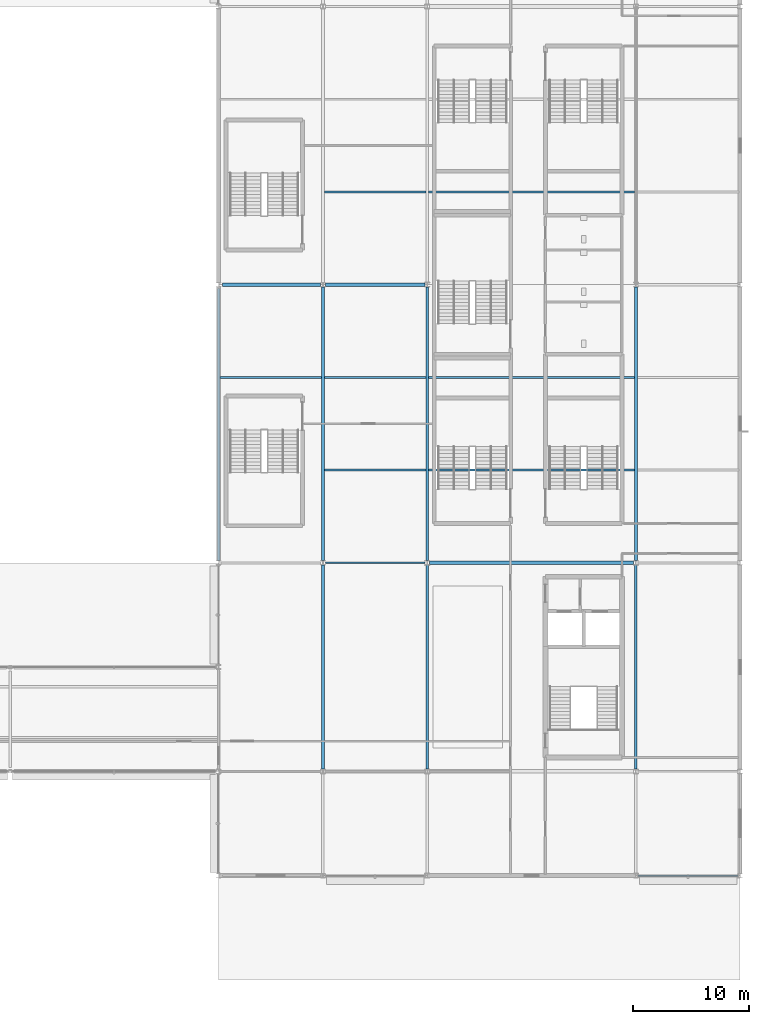
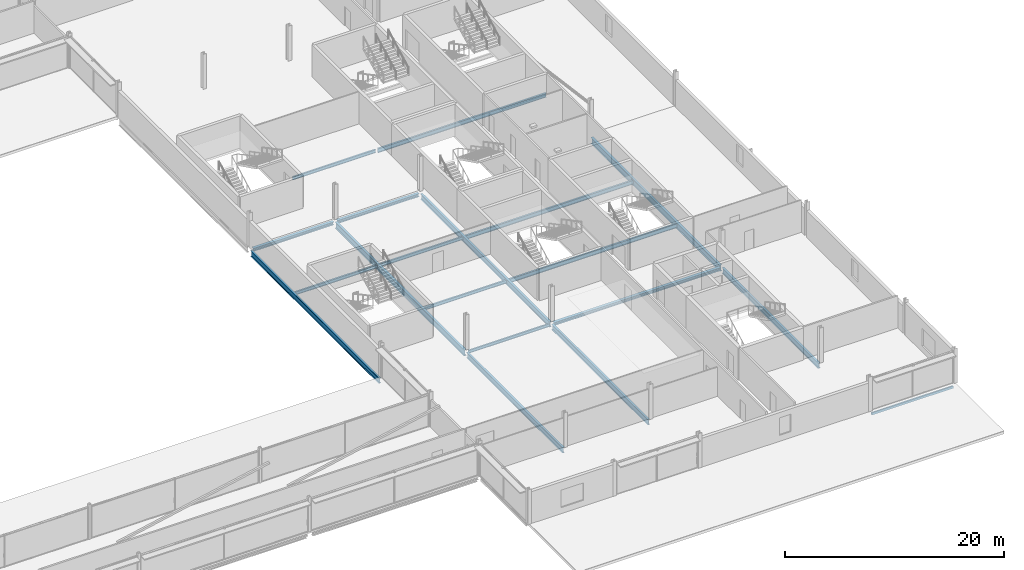
# One storey, part 47 of 105: 19 beams.
"""IFC4 building model written with IfcOpenShell, lengths in metres."""

from ifc_helpers import new_model, si_unit, direction, frame, origin, origin_2d, place, context, subcontext, project, spatial, hollow_rectangle, i_section, extrude, material, material_profile, profile_set, type_object, element, save


model = new_model("IFC4")

# Units and contexts
model_context = context("Model", 3, precision=1e-05, world=origin(), true_north=direction((0.0, 1.0)))
body_context = subcontext(model_context, "Body", "Model", "MODEL_VIEW")
ifc_project = project(units=[si_unit("LENGTHUNIT", "METRE"), si_unit("AREAUNIT", "SQUARE_METRE"), si_unit("VOLUMEUNIT", "CUBIC_METRE"), si_unit("PLANEANGLEUNIT", "RADIAN"), si_unit("MASSUNIT", "GRAM", prefix="KILO")], contexts=[model_context])

# Site, building, storey
site_placement = place(None, origin())
site = spatial("IfcSite", under=ifc_project, at=site_placement, CompositionType="ELEMENT")
building_placement = place(site_placement, origin())
building = spatial("IfcBuilding", under=site, at=building_placement, Name="Kisiwana Market Hall", CompositionType="ELEMENT")
storey_placement = place(building_placement, frame((0.0, 0.0, 21.60009765625)))
storey = spatial("IfcBuildingStorey", under=building, at=storey_placement, Name="L04", CompositionType="ELEMENT", Elevation=21.60009765625)

# Beams
ifc_material_1 = material(Name="Steel S355", Category="steel")
ifc_material_profile_1 = material_profile(ifc_material_1, i_section(OverallWidth=0.22900390625, OverallDepth=0.6123046875, WebThickness=0.011962890625, FlangeThickness=0.01953125, at=origin_2d()), Name="UB 610x229x125")
ifc_profile_set_1 = profile_set([ifc_material_profile_1], Name="Steel S355")
beam_type_1 = type_object("IfcBeamType", Name="BM-GIRD-UB610H", PredefinedType="BEAM", material=ifc_profile_set_1)
beam_1_placement = place(storey_placement, frame((153.0, 36.21337890625, -0.55126953125), z_axis=(0.0, 1.0, 0.0), x_axis=(-1.0, 0.0, 0.0)))
element("IfcBeam", 1, at=beam_1_placement, inside=storey, type_object=beam_type_1, Name="Floor beam B-1505", PredefinedType="BEAM", context=body_context, shape_type="SweptSolid", body=[
    extrude(i_section(OverallWidth=0.22900390625, OverallDepth=0.6123046875, WebThickness=0.011962890625, FlangeThickness=0.01953125, at=origin_2d()), origin(), (0.0, 0.0, 1.0), 23.465576171875),
])
beam_2_placement = place(storey_placement, frame((171.0, 36.2041015625, -0.55126953125), z_axis=(0.0, 1.0, 0.0), x_axis=(-1.0, 0.0, 0.0)))
element("IfcBeam", 2, at=beam_2_placement, inside=storey, type_object=beam_type_1, Name="Floor beam B-1509", PredefinedType="BEAM", context=body_context, shape_type="SweptSolid", body=[
    extrude(i_section(OverallWidth=0.22900390625, OverallDepth=0.6123046875, WebThickness=0.011962890625, FlangeThickness=0.01953125, at=origin_2d()), origin(), (0.0, 0.0, 1.0), 23.591796875),
])
for number, where, z_axis, x_axis, name in (
    (3, (162.0, 18.2041015625, -0.55126953125), (0.0, 1.0, 0.0), (-1.0, 0.0, 0.0), "Primary girder B-1372"),
    (4, (171.0, 18.2041015625, -0.55126953125), (0.0, 1.0, 0.0), (-1.0, 0.0, 0.0), "Primary girder B-1378"),
    (5, (189.0, 18.2041015625, -0.55126953125), (0.0, 1.0, 0.0), (-1.0, 0.0, 0.0), "Primary girder B-1382"),
):
    element("IfcBeam", number, at=place(storey_placement, frame(where, z_axis=z_axis, x_axis=x_axis)), inside=storey, type_object=beam_type_1, Name=name, PredefinedType="BEAM", context=body_context, shape_type="SweptSolid", body=[
        extrude(i_section(OverallWidth=0.22900390625, OverallDepth=0.6123046875, WebThickness=0.011962890625, FlangeThickness=0.01953125, at=origin_2d()), origin(), (0.0, 0.0, 1.0), 17.591796875),
    ])
ifc_material_2 = material(Name="Steel S355", Category="steel")
ifc_material_profile_2 = material_profile(ifc_material_2, i_section(OverallWidth=0.253662109375, OverallDepth=0.68359375, WebThickness=0.012451171875, FlangeThickness=0.01904296875, at=origin_2d()), Name="UB 686x254x140")
ifc_profile_set_2 = profile_set([ifc_material_profile_2], Name="Steel S355")
beam_type_2 = type_object("IfcBeamType", Name="BM-GIRD-UB686", PredefinedType="BEAM", material=ifc_profile_set_2)
for number, where, z_axis, x_axis, name in (
    (6, (162.0, 36.2041015625, -0.5869140625), (0.0, 1.0, 0.0), (-1.0, 0.0, 0.0), "Primary girder B-1373"),
    (7, (189.0, 36.2041015625, -0.5869140625), (0.0, 1.0, 0.0), (-1.0, 0.0, 0.0), "Primary girder B-1383"),
):
    element("IfcBeam", number, at=place(storey_placement, frame(where, z_axis=z_axis, x_axis=x_axis)), inside=storey, type_object=beam_type_2, Name=name, PredefinedType="BEAM", context=body_context, shape_type="SweptSolid", body=[
        extrude(i_section(OverallWidth=0.253662109375, OverallDepth=0.68359375, WebThickness=0.012451171875, FlangeThickness=0.01904296875, at=origin_2d()), origin(), (0.0, 0.0, 1.0), 23.591796875),
    ])
ifc_material_3 = material(Name="Steel S355", Category="steel")
ifc_material_profile_3 = material_profile(ifc_material_3, i_section(OverallWidth=0.159912109375, OverallDepth=0.330078125, WebThickness=0.007568359375, FlangeThickness=0.011474609375, FilletRadius=0.01806640625, at=origin_2d()), Name="IPE 330")
ifc_profile_set_3 = profile_set([ifc_material_profile_3], Name="Steel S355")
beam_type_3 = type_object("IfcBeamType", Name="BM-JOIST-IPE330", PredefinedType="JOIST", material=ifc_profile_set_3)
beam_3_placement = place(storey_placement, frame((162.198974609375, 36.0, -0.41015625), z_axis=(1.0, 0.0, 0.0), x_axis=(0.0, 1.0, 0.0)))
element("IfcBeam", 8, at=beam_3_placement, inside=storey, type_object=beam_type_3, Name="Floor beam B-1448", PredefinedType="JOIST", context=body_context, shape_type="SweptSolid", body=[
    extrude(i_section(OverallWidth=0.159912109375, OverallDepth=0.330078125, WebThickness=0.007568359375, FlangeThickness=0.011474609375, FilletRadius=0.01806640625, at=origin_2d()), origin(), (0.0, 0.0, 1.0), 8.60205078125),
])
ifc_material_4 = material(Name="Steel S355", Category="steel")
ifc_material_profile_4 = material_profile(ifc_material_4, i_section(OverallWidth=0.17138671875, OverallDepth=0.35498046875, WebThickness=0.00732421875, FlangeThickness=0.011474609375, at=origin_2d()), Name="UB 356x171x51")
ifc_profile_set_4 = profile_set([ifc_material_profile_4], Name="Steel S355")
beam_type_4 = type_object("IfcBeamType", Name="BM-JOIST-UB356", PredefinedType="JOIST", material=ifc_profile_set_4)
for number, where, z_axis, x_axis, name in (
    (9, (162.125732421875, 44.0, -0.422607421875), (1.0, 0.0, 0.0), (0.0, 1.0, 0.0), "Secondary floor joist B-1390"),
    (10, (153.113525390625, 52.0, -0.422607421875), (1.0, 0.0, 0.0), (0.0, 1.0, 0.0), "Secondary floor joist B-1397"),
    (11, (162.125732421875, 52.0, -0.422607421875), (1.0, 0.0, 0.0), (0.0, 1.0, 0.0), "Secondary floor joist B-1398"),
    (12, (162.125732421875, 68.0, -0.422607421875), (1.0, 0.0, 0.0), (0.0, 1.0, 0.0), "Secondary floor joist B-1404"),
):
    element("IfcBeam", number, at=place(storey_placement, frame(where, z_axis=z_axis, x_axis=x_axis)), inside=storey, type_object=beam_type_4, Name=name, PredefinedType="JOIST", context=body_context, shape_type="SweptSolid", body=[
        extrude(i_section(OverallWidth=0.17138671875, OverallDepth=0.35498046875, WebThickness=0.00732421875, FlangeThickness=0.011474609375, at=origin_2d()), origin(), (0.0, 0.0, 1.0), 8.7607421875),
    ])
ifc_material_5 = material(Name="Steel S355", Category="steel")
ifc_material_profile_5 = material_profile(ifc_material_5, i_section(OverallWidth=0.18994140625, OverallDepth=0.453369140625, WebThickness=0.008544921875, FlangeThickness=0.0126953125, at=origin_2d()), Name="UB 457x191x67")
ifc_profile_set_5 = profile_set([ifc_material_profile_5], Name="Steel S355")
beam_type_5 = type_object("IfcBeamType", Name="BM-JOIST-UB457", PredefinedType="JOIST", material=ifc_profile_set_5)
for number, where, z_axis, x_axis, name in (
    (13, (171.113525390625, 44.0, -0.4716796875), (1.0, 0.0, 0.0), (0.0, 1.0, 0.0), "Secondary floor joist B-1391"),
    (14, (171.113525390625, 52.0, -0.4716796875), (1.0, 0.0, 0.0), (0.0, 1.0, 0.0), "Secondary floor joist B-1399"),
    (15, (171.113525390625, 68.0, -0.4716796875), (1.0, 0.0, 0.0), (0.0, 1.0, 0.0), "Secondary floor joist B-1405"),
):
    element("IfcBeam", number, at=place(storey_placement, frame(where, z_axis=z_axis, x_axis=x_axis)), inside=storey, type_object=beam_type_5, Name=name, PredefinedType="JOIST", context=body_context, shape_type="SweptSolid", body=[
        extrude(i_section(OverallWidth=0.18994140625, OverallDepth=0.453369140625, WebThickness=0.008544921875, FlangeThickness=0.0126953125, at=origin_2d()), origin(), (0.0, 0.0, 1.0), 17.7607421875),
    ])
ifc_material_6 = material(Name="Steel S355", Category="steel")
ifc_material_profile_6 = material_profile(ifc_material_6, i_section(OverallWidth=0.314453125, OverallDepth=0.33984375, WebThickness=0.01904296875, FlangeThickness=0.031494140625, at=origin_2d()), Name="UC 305x305x198")
ifc_profile_set_6 = profile_set([ifc_material_profile_6], Name="Steel S355")
beam_type_6 = type_object("IfcBeamType", Name="BM-SKYBR-CHORD", PredefinedType="BEAM", material=ifc_profile_set_6)
beam_4_placement = place(storey_placement, frame((171.198974609375, 36.0, -0.4150390625), z_axis=(1.0, 0.0, 0.0), x_axis=(0.0, 1.0, 0.0)))
element("IfcBeam", 16, at=beam_4_placement, inside=storey, type_object=beam_type_6, Name="Floor beam B-1449", PredefinedType="BEAM", context=body_context, shape_type="SweptSolid", body=[
    extrude(i_section(OverallWidth=0.314453125, OverallDepth=0.33984375, WebThickness=0.01904296875, FlangeThickness=0.031494140625, at=origin_2d()), origin(), (0.0, 0.0, 1.0), 17.60205078125),
])
beam_5_placement = place(storey_placement, frame((153.321044921875, 60.0, -0.4150390625), z_axis=(1.0, 0.0, 0.0), x_axis=(0.0, 1.0, 0.0)))
element("IfcBeam", 17, at=beam_5_placement, inside=storey, type_object=beam_type_6, Name="Floor beam B-1452", PredefinedType="BEAM", context=body_context, shape_type="SweptSolid", body=[
    extrude(i_section(OverallWidth=0.314453125, OverallDepth=0.33984375, WebThickness=0.01904296875, FlangeThickness=0.031494140625, at=origin_2d()), origin(), (0.0, 0.0, 1.0), 8.47998046875),
])
beam_6_placement = place(storey_placement, frame((162.198974609375, 60.0, -0.4150390625), z_axis=(1.0, 0.0, 0.0), x_axis=(0.0, 1.0, 0.0)))
element("IfcBeam", 18, at=beam_6_placement, inside=storey, type_object=beam_type_6, Name="Floor beam B-1338", PredefinedType="BEAM", context=body_context, shape_type="SweptSolid", body=[
    extrude(i_section(OverallWidth=0.314453125, OverallDepth=0.33984375, WebThickness=0.01904296875, FlangeThickness=0.031494140625, at=origin_2d()), origin(), (0.0, 0.0, 1.0), 8.60205078125),
])
ifc_material_7 = material(Name="Steel S355", Category="steel")
ifc_material_profile_7 = material_profile(ifc_material_7, hollow_rectangle(XDim=0.14990234375, YDim=0.25, WallThickness=0.010009765625, at=origin_2d()), Name="RHS 250x150x10.0")
ifc_profile_set_7 = profile_set([ifc_material_profile_7], Name="Steel S355")
beam_type_7 = type_object("IfcBeamType", Name="BM-SPAN-RHS250", PredefinedType="SPANDREL", material=ifc_profile_set_7)
beam_7_placement = place(storey_placement, frame((189.195556640625, 9.0, -0.4169921875), z_axis=(1.0, 0.0, 0.0), x_axis=(0.0, 1.0, 0.0)))
element("IfcBeam", 19, at=beam_7_placement, inside=storey, type_object=beam_type_7, Name="Floor beam B-1422", PredefinedType="SPANDREL", context=body_context, shape_type="SweptSolid", body=[
    extrude(hollow_rectangle(XDim=0.14990234375, YDim=0.25, WallThickness=0.010009765625, at=origin_2d()), origin(), (0.0, 0.0, 1.0), 8.60888671875),
])

save(model, "model.ifc")
